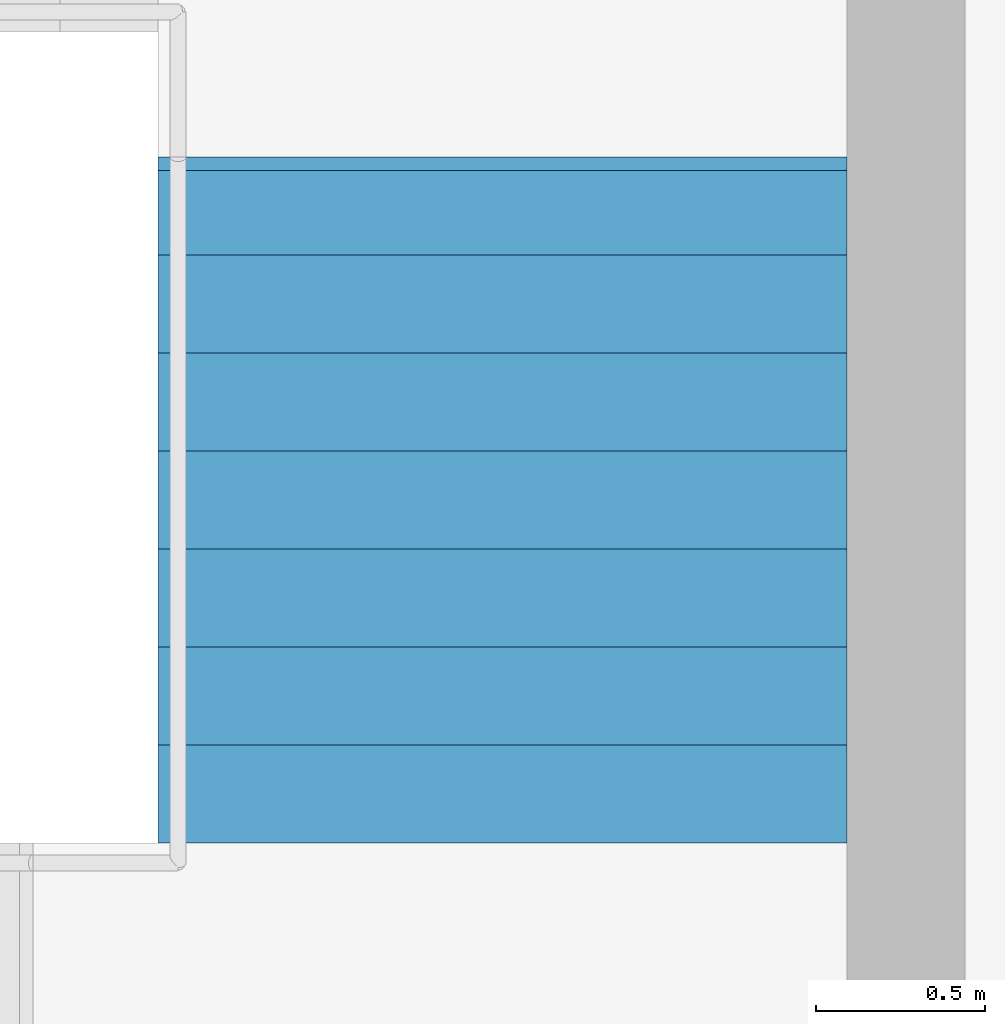
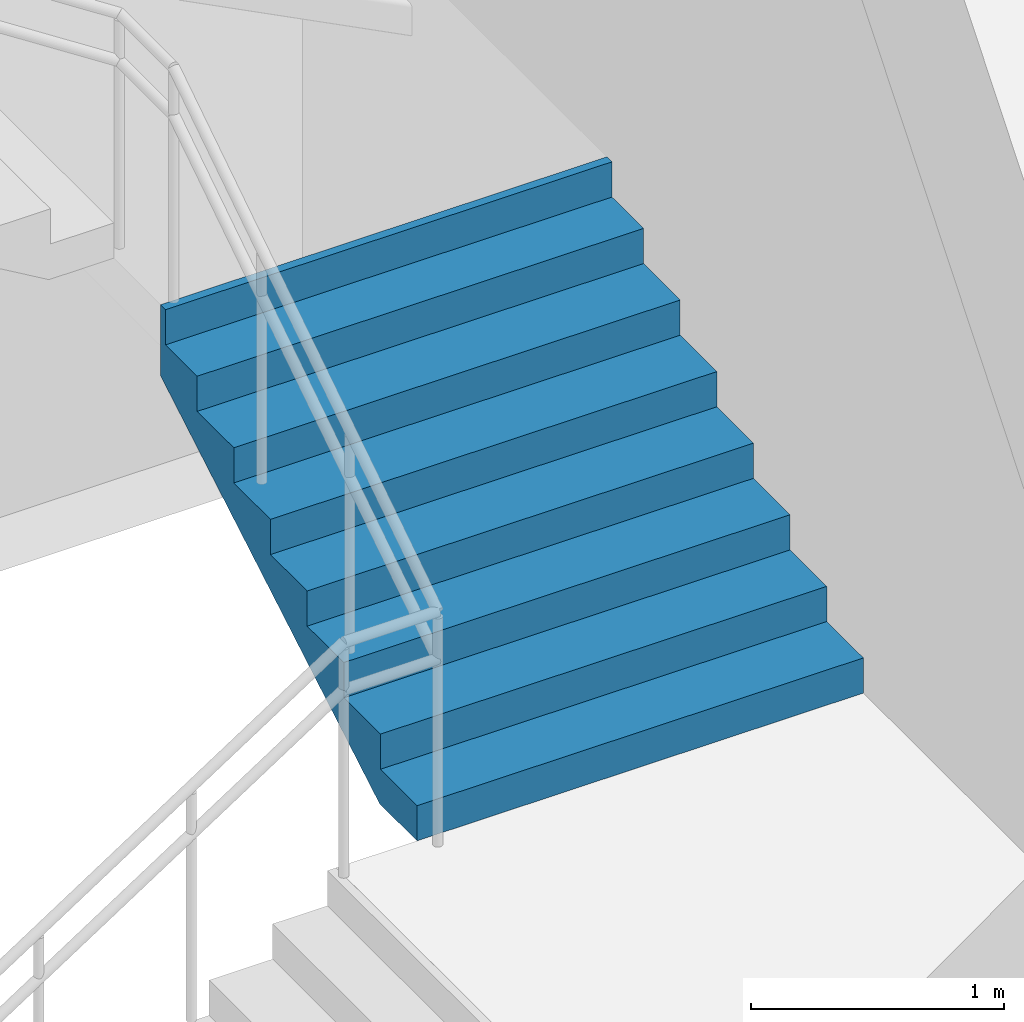
# One storey, part 63 of 72: 1 stair flight, 1 element without a shape of its own.
"""IFC4 building model written with IfcOpenShell, lengths in metres."""

from ifc_helpers import new_model, si_unit, direction, frame, origin, place, context, subcontext, project, spatial, triangles, material, type_object, element, aggregate, save


model = new_model("IFC4")

# Units and contexts
model_context = context("Model", 3, precision=1e-05, world=origin(), true_north=direction((0.0, 1.0)))
body_context = subcontext(model_context, "Body", "Model", "MODEL_VIEW")
ifc_project = project(units=[si_unit("LENGTHUNIT", "METRE"), si_unit("AREAUNIT", "SQUARE_METRE"), si_unit("VOLUMEUNIT", "CUBIC_METRE"), si_unit("PLANEANGLEUNIT", "RADIAN"), si_unit("MASSUNIT", "GRAM", prefix="KILO")], contexts=[model_context])

# Site, building, storey
site_placement = place(None, origin())
site = spatial("IfcSite", under=ifc_project, at=site_placement, CompositionType="ELEMENT")
building_placement = place(site_placement, origin())
building = spatial("IfcBuilding", under=site, at=building_placement, Name="Sillaruma Civic Art Gallery", CompositionType="ELEMENT")
storey_placement = place(building_placement, frame((0.0, 0.0, 10.8798828125)))
storey = spatial("IfcBuildingStorey", under=building, at=storey_placement, Name="L02", CompositionType="ELEMENT", Elevation=10.8798828125)

# Stair, stair flight
ifc_material = material(Name="Concrete H35 (35 MPa)", Category="concrete")
stair_type = type_object("IfcStairType", Name="STR-4F-32", PredefinedType="USERDEFINED", material=ifc_material)
stair_placement = place(storey_placement, origin())
stair = element("IfcStair", 1, at=stair_placement, inside=storey, type_object=stair_type, Name="Protected Exit Stair ST-02 (West Bar North) (L02)", ObjectType="THREE_RETURN_STAIR", PredefinedType="USERDEFINED")
stair_flight_type = type_object("IfcStairFlightType", Name="SFL-STR-8", PredefinedType="STRAIGHT", material=ifc_material)
stair_flight_placement = place(storey_placement, frame((68.219970703125, 82.949951171875, 1.360107421875), z_axis=(0.0, 0.0, 1.0), x_axis=(0.0, 1.0, 0.0)))
stair_flight = element("IfcStairFlight", 2, at=stair_flight_placement, type_object=stair_flight_type, Name="ST-02 flight 2", NumberOfRisers=8, NumberOfTreads=7, PredefinedType="STRAIGHT", RiserHeight=0.17, TreadLength=0.29, context=body_context, shape_type="Tessellation", body=[
    triangles([(0.0, -1.02001953125, 0.0), (0.29, -1.02001953125, 0.0), (0.296443, -1.02001953125, 0.0), (0.58, -1.02001953125, 0.166223), (0.87, -1.02001953125, 0.336223), (1.16, -1.02001953125, 0.506223), (1.45, -1.02001953125, 0.676223), (1.74, -1.02001953125, 0.846223), (1.990029, -1.02001953125, 0.992792), (2.030029, -1.02001953125, 1.01624), (2.030029, -1.02001953125, 1.36), (1.990029, -1.02001953125, 1.36), (1.990029, -1.02001953125, 1.19), (1.74, -1.02001953125, 1.19), (1.74, -1.02001953125, 1.02), (1.45, -1.02001953125, 1.02), (1.45, -1.02001953125, 0.85), (1.16, -1.02001953125, 0.85), (1.16, -1.02001953125, 0.68), (0.87, -1.02001953125, 0.68), (0.87, -1.02001953125, 0.51), (0.58, -1.02001953125, 0.51), (0.58, -1.02001953125, 0.34), (0.296443, -1.02001953125, 0.34), (0.29, -1.02001953125, 0.34), (0.29, -1.02001953125, 0.17), (0.0, -1.02001953125, 0.17), (0.0, -0.05, 0.0), (0.29, -0.05, 0.0), (0.296443, -0.05, 0.0), (0.58, -0.05, 0.166223), (0.87, -0.05, 0.336223), (1.16, -0.05, 0.506223), (1.45, -0.05, 0.676223), (1.74, -0.05, 0.846223), (1.990029, -0.05, 0.992792), (2.030029, -0.05, 1.01624), (2.030029, -0.05, 1.36), (1.990029, -0.05, 1.36), (1.990029, -0.05, 1.19), (1.74, -0.05, 1.19), (1.74, -0.05, 1.02), (1.45, -0.05, 1.02), (1.45, -0.05, 0.85), (1.16, -0.05, 0.85), (1.16, -0.05, 0.68), (0.87, -0.05, 0.68), (0.87, -0.05, 0.51), (0.58, -0.05, 0.51), (0.58, -0.05, 0.34), (0.296443, -0.05, 0.34), (0.29, -0.05, 0.34), (0.29, -0.05, 0.17), (0.0, -0.05, 0.17), (0.0, -0.0375, 0.0), (0.29, -0.0375, 0.0), (0.296443, -0.0375, 0.0), (0.58, -0.0375, 0.166223), (0.87, -0.0375, 0.336223), (1.16, -0.0375, 0.506223), (1.45, -0.0375, 0.676223), (1.74, -0.0375, 0.846223), (1.990029, -0.0375, 0.992792), (2.030029, -0.0375, 1.01624), (2.030029, -0.0375, 1.36), (1.990029, -0.0375, 1.36), (1.990029, -0.0375, 1.19), (1.74, -0.0375, 1.19), (1.74, -0.0375, 1.02), (1.45, -0.0375, 1.02), (1.45, -0.0375, 0.85), (1.16, -0.0375, 0.85), (1.16, -0.0375, 0.68), (0.87, -0.0375, 0.68), (0.87, -0.0375, 0.51), (0.58, -0.0375, 0.51), (0.58, -0.0375, 0.34), (0.296443, -0.0375, 0.34), (0.29, -0.0375, 0.34), (0.29, -0.0375, 0.17), (0.0, -0.0375, 0.17), (0.0, -0.025, 0.0), (0.29, -0.025, 0.0), (0.296443, -0.025, 0.0), (0.58, -0.025, 0.166223), (0.87, -0.025, 0.336223), (1.16, -0.025, 0.506223), (1.45, -0.025, 0.676223), (1.74, -0.025, 0.846223), (1.990029, -0.025, 0.992792), (2.030029, -0.025, 1.01624), (2.030029, -0.025, 1.36), (1.990029, -0.025, 1.36), (1.990029, -0.025, 1.19), (1.74, -0.025, 1.19), (1.74, -0.025, 1.02), (1.45, -0.025, 1.02), (1.45, -0.025, 0.85), (1.16, -0.025, 0.85), (1.16, -0.025, 0.68), (0.87, -0.025, 0.68), (0.87, -0.025, 0.51), (0.58, -0.025, 0.51), (0.58, -0.025, 0.34), (0.296443, -0.025, 0.34), (0.29, -0.025, 0.34), (0.29, -0.025, 0.17), (0.0, -0.025, 0.17), (0.0, -0.0125, 0.0), (0.29, -0.0125, 0.0), (0.296443, -0.0125, 0.0), (0.58, -0.0125, 0.166223), (0.87, -0.0125, 0.336223), (1.16, -0.0125, 0.506223), (1.45, -0.0125, 0.676223), (1.74, -0.0125, 0.846223), (1.990029, -0.0125, 0.992792), (2.030029, -0.0125, 1.01624), (2.030029, -0.0125, 1.36), (1.990029, -0.0125, 1.36), (1.990029, -0.0125, 1.19), (1.74, -0.0125, 1.19), (1.74, -0.0125, 1.02), (1.45, -0.0125, 1.02), (1.45, -0.0125, 0.85), (1.16, -0.0125, 0.85), (1.16, -0.0125, 0.68), (0.87, -0.0125, 0.68), (0.87, -0.0125, 0.51), (0.58, -0.0125, 0.51), (0.58, -0.0125, 0.34), (0.296443, -0.0125, 0.34), (0.29, -0.0125, 0.34), (0.29, -0.0125, 0.17), (0.0, -0.0125, 0.17), (0.0, 0.0, 0.0), (0.29, 0.0, 0.0), (0.296443, 0.0, 0.0), (0.58, 0.0, 0.166223), (0.87, 0.0, 0.336223), (1.16, 0.0, 0.506223), (1.45, 0.0, 0.676223), (1.74, 0.0, 0.846223), (1.990029, 0.0, 0.992792), (2.030029, 0.0, 1.01624), (2.030029, 0.0, 1.36), (1.990029, 0.0, 1.36), (1.990029, 0.0, 1.19), (1.74, 0.0, 1.19), (1.74, 0.0, 1.02), (1.45, 0.0, 1.02), (1.45, 0.0, 0.85), (1.16, 0.0, 0.85), (1.16, 0.0, 0.68), (0.87, 0.0, 0.68), (0.87, 0.0, 0.51), (0.58, 0.0, 0.51), (0.58, 0.0, 0.34), (0.296443, 0.0, 0.34), (0.29, 0.0, 0.34), (0.29, 0.0, 0.17), (0.0, 0.0, 0.17), (0.0, 0.0125, 0.0), (0.29, 0.0125, 0.0), (0.296443, 0.0125, 0.0), (0.58, 0.0125, 0.166223), (0.87, 0.0125, 0.336223), (1.16, 0.0125, 0.506223), (1.45, 0.0125, 0.676223), (1.74, 0.0125, 0.846223), (1.990029, 0.0125, 0.992792), (2.030029, 0.0125, 1.01624), (2.030029, 0.0125, 1.36), (1.990029, 0.0125, 1.36), (1.990029, 0.0125, 1.19), (1.74, 0.0125, 1.19), (1.74, 0.0125, 1.02), (1.45, 0.0125, 1.02), (1.45, 0.0125, 0.85), (1.16, 0.0125, 0.85), (1.16, 0.0125, 0.68), (0.87, 0.0125, 0.68), (0.87, 0.0125, 0.51), (0.58, 0.0125, 0.51), (0.58, 0.0125, 0.34), (0.296443, 0.0125, 0.34), (0.29, 0.0125, 0.34), (0.29, 0.0125, 0.17), (0.0, 0.0125, 0.17), (0.0, 0.025, 0.0), (0.29, 0.025, 0.0), (0.296443, 0.025, 0.0), (0.58, 0.025, 0.166223), (0.87, 0.025, 0.336223), (1.16, 0.025, 0.506223), (1.45, 0.025, 0.676223), (1.74, 0.025, 0.846223), (1.990029, 0.025, 0.992792), (2.030029, 0.025, 1.01624), (2.030029, 0.025, 1.36), (1.990029, 0.025, 1.36), (1.990029, 0.025, 1.19), (1.74, 0.025, 1.19), (1.74, 0.025, 1.02), (1.45, 0.025, 1.02), (1.45, 0.025, 0.85), (1.16, 0.025, 0.85), (1.16, 0.025, 0.68), (0.87, 0.025, 0.68), (0.87, 0.025, 0.51), (0.58, 0.025, 0.51), (0.58, 0.025, 0.34), (0.296443, 0.025, 0.34), (0.29, 0.025, 0.34), (0.29, 0.025, 0.17), (0.0, 0.025, 0.17), (0.0, 0.0375, 0.0), (0.29, 0.0375, 0.0), (0.296443, 0.0375, 0.0), (0.58, 0.0375, 0.166223), (0.87, 0.0375, 0.336223), (1.16, 0.0375, 0.506223), (1.45, 0.0375, 0.676223), (1.74, 0.0375, 0.846223), (1.990029, 0.0375, 0.992792), (2.030029, 0.0375, 1.01624), (2.030029, 0.0375, 1.36), (1.990029, 0.0375, 1.36), (1.990029, 0.0375, 1.19), (1.74, 0.0375, 1.19), (1.74, 0.0375, 1.02), (1.45, 0.0375, 1.02), (1.45, 0.0375, 0.85), (1.16, 0.0375, 0.85), (1.16, 0.0375, 0.68), (0.87, 0.0375, 0.68), (0.87, 0.0375, 0.51), (0.58, 0.0375, 0.51), (0.58, 0.0375, 0.34), (0.296443, 0.0375, 0.34), (0.29, 0.0375, 0.34), (0.29, 0.0375, 0.17), (0.0, 0.0375, 0.17), (0.0, 0.05, 0.0), (0.29, 0.05, 0.0), (0.296443, 0.05, 0.0), (0.58, 0.05, 0.166223), (0.87, 0.05, 0.336223), (1.16, 0.05, 0.506223), (1.45, 0.05, 0.676223), (1.74, 0.05, 0.846223), (1.990029, 0.05, 0.992792), (2.030029, 0.05, 1.01624), (2.030029, 0.05, 1.36), (1.990029, 0.05, 1.36), (1.990029, 0.05, 1.19), (1.74, 0.05, 1.19), (1.74, 0.05, 1.02), (1.45, 0.05, 1.02), (1.45, 0.05, 0.85), (1.16, 0.05, 0.85), (1.16, 0.05, 0.68), (0.87, 0.05, 0.68), (0.87, 0.05, 0.51), (0.58, 0.05, 0.51), (0.58, 0.05, 0.34), (0.296443, 0.05, 0.34), (0.29, 0.05, 0.34), (0.29, 0.05, 0.17), (0.0, 0.05, 0.17), (0.0, 1.02001953125, 0.0), (0.29, 1.02001953125, 0.0), (0.296443, 1.02001953125, 0.0), (0.58, 1.02001953125, 0.166223), (0.87, 1.02001953125, 0.336223), (1.16, 1.02001953125, 0.506223), (1.45, 1.02001953125, 0.676223), (1.74, 1.02001953125, 0.846223), (1.990029, 1.02001953125, 0.992792), (2.030029, 1.02001953125, 1.01624), (2.030029, 1.02001953125, 1.36), (1.990029, 1.02001953125, 1.36), (1.990029, 1.02001953125, 1.19), (1.74, 1.02001953125, 1.19), (1.74, 1.02001953125, 1.02), (1.45, 1.02001953125, 1.02), (1.45, 1.02001953125, 0.85), (1.16, 1.02001953125, 0.85), (1.16, 1.02001953125, 0.68), (0.87, 1.02001953125, 0.68), (0.87, 1.02001953125, 0.51), (0.58, 1.02001953125, 0.51), (0.58, 1.02001953125, 0.34), (0.296443, 1.02001953125, 0.34), (0.29, 1.02001953125, 0.34), (0.29, 1.02001953125, 0.17), (0.0, 1.02001953125, 0.17)], [[1, 2, 26], [1, 26, 27], [2, 3, 24], [2, 24, 26], [26, 24, 25], [3, 4, 23], [3, 23, 24], [4, 5, 21], [4, 21, 23], [23, 21, 22], [5, 6, 19], [5, 19, 21], [21, 19, 20], [6, 7, 17], [6, 17, 19], [19, 17, 18], [7, 8, 15], [7, 15, 17], [17, 15, 16], [8, 9, 13], [8, 13, 15], [15, 13, 14], [9, 10, 11], [9, 11, 13], [13, 11, 12], [296, 272, 271], [297, 296, 271], [294, 273, 272], [296, 294, 272], [295, 294, 296], [293, 274, 273], [294, 293, 273], [291, 275, 274], [293, 291, 274], [292, 291, 293], [289, 276, 275], [291, 289, 275], [290, 289, 291], [287, 277, 276], [289, 287, 276], [288, 287, 289], [285, 278, 277], [287, 285, 277], [286, 285, 287], [283, 279, 278], [285, 283, 278], [284, 283, 285], [281, 280, 279], [283, 281, 279], [282, 281, 283], [2, 1, 28], [2, 28, 29], [3, 2, 29], [3, 29, 30], [4, 3, 30], [4, 30, 31], [5, 4, 31], [5, 31, 32], [6, 5, 32], [6, 32, 33], [7, 6, 33], [7, 33, 34], [8, 7, 34], [8, 34, 35], [9, 8, 35], [9, 35, 36], [10, 9, 36], [10, 36, 37], [11, 10, 37], [11, 37, 38], [12, 11, 38], [12, 38, 39], [13, 12, 39], [13, 39, 40], [14, 13, 40], [14, 40, 41], [15, 14, 41], [15, 41, 42], [16, 15, 42], [16, 42, 43], [17, 16, 43], [17, 43, 44], [18, 17, 44], [18, 44, 45], [19, 18, 45], [19, 45, 46], [20, 19, 46], [20, 46, 47], [21, 20, 47], [21, 47, 48], [22, 21, 48], [22, 48, 49], [23, 22, 49], [23, 49, 50], [24, 23, 50], [24, 50, 51], [25, 24, 51], [25, 51, 52], [26, 25, 52], [26, 52, 53], [27, 26, 53], [27, 53, 54], [1, 27, 54], [1, 54, 28], [29, 28, 55], [29, 55, 56], [30, 29, 56], [30, 56, 57], [31, 30, 57], [31, 57, 58], [32, 31, 58], [32, 58, 59], [33, 32, 59], [33, 59, 60], [34, 33, 60], [34, 60, 61], [35, 34, 61], [35, 61, 62], [36, 35, 62], [36, 62, 63], [37, 36, 63], [37, 63, 64], [38, 37, 64], [38, 64, 65], [39, 38, 65], [39, 65, 66], [40, 39, 66], [40, 66, 67], [41, 40, 67], [41, 67, 68], [42, 41, 68], [42, 68, 69], [43, 42, 69], [43, 69, 70], [44, 43, 70], [44, 70, 71], [45, 44, 71], [45, 71, 72], [46, 45, 72], [46, 72, 73], [47, 46, 73], [47, 73, 74], [48, 47, 74], [48, 74, 75], [49, 48, 75], [49, 75, 76], [50, 49, 76], [50, 76, 77], [51, 50, 77], [51, 77, 78], [52, 51, 78], [52, 78, 79], [53, 52, 79], [53, 79, 80], [54, 53, 80], [54, 80, 81], [28, 54, 81], [28, 81, 55], [56, 55, 82], [56, 82, 83], [57, 56, 83], [57, 83, 84], [58, 57, 84], [58, 84, 85], [59, 58, 85], [59, 85, 86], [60, 59, 86], [60, 86, 87], [61, 60, 87], [61, 87, 88], [62, 61, 88], [62, 88, 89], [63, 62, 89], [63, 89, 90], [64, 63, 90], [64, 90, 91], [65, 64, 91], [65, 91, 92], [66, 65, 92], [66, 92, 93], [67, 66, 93], [67, 93, 94], [68, 67, 94], [68, 94, 95], [69, 68, 95], [69, 95, 96], [70, 69, 96], [70, 96, 97], [71, 70, 97], [71, 97, 98], [72, 71, 98], [72, 98, 99], [73, 72, 99], [73, 99, 100], [74, 73, 100], [74, 100, 101], [75, 74, 101], [75, 101, 102], [76, 75, 102], [76, 102, 103], [77, 76, 103], [77, 103, 104], [78, 77, 104], [78, 104, 105], [79, 78, 105], [79, 105, 106], [80, 79, 106], [80, 106, 107], [81, 80, 107], [81, 107, 108], [55, 81, 108], [55, 108, 82], [83, 82, 109], [83, 109, 110], [84, 83, 110], [84, 110, 111], [85, 84, 111], [85, 111, 112], [86, 85, 112], [86, 112, 113], [87, 86, 113], [87, 113, 114], [88, 87, 114], [88, 114, 115], [89, 88, 115], [89, 115, 116], [90, 89, 116], [90, 116, 117], [91, 90, 117], [91, 117, 118], [92, 91, 118], [92, 118, 119], [93, 92, 119], [93, 119, 120], [94, 93, 120], [94, 120, 121], [95, 94, 121], [95, 121, 122], [96, 95, 122], [96, 122, 123], [97, 96, 123], [97, 123, 124], [98, 97, 124], [98, 124, 125], [99, 98, 125], [99, 125, 126], [100, 99, 126], [100, 126, 127], [101, 100, 127], [101, 127, 128], [102, 101, 128], [102, 128, 129], [103, 102, 129], [103, 129, 130], [104, 103, 130], [104, 130, 131], [105, 104, 131], [105, 131, 132], [106, 105, 132], [106, 132, 133], [107, 106, 133], [107, 133, 134], [108, 107, 134], [108, 134, 135], [82, 108, 135], [82, 135, 109], [110, 109, 136], [110, 136, 137], [111, 110, 137], [111, 137, 138], [112, 111, 138], [112, 138, 139], [113, 112, 139], [113, 139, 140], [114, 113, 140], [114, 140, 141], [115, 114, 141], [115, 141, 142], [116, 115, 142], [116, 142, 143], [117, 116, 143], [117, 143, 144], [118, 117, 144], [118, 144, 145], [119, 118, 145], [119, 145, 146], [120, 119, 146], [120, 146, 147], [121, 120, 147], [121, 147, 148], [122, 121, 148], [122, 148, 149], [123, 122, 149], [123, 149, 150], [124, 123, 150], [124, 150, 151], [125, 124, 151], [125, 151, 152], [126, 125, 152], [126, 152, 153], [127, 126, 153], [127, 153, 154], [128, 127, 154], [128, 154, 155], [129, 128, 155], [129, 155, 156], [130, 129, 156], [130, 156, 157], [131, 130, 157], [131, 157, 158], [132, 131, 158], [132, 158, 159], [133, 132, 159], [133, 159, 160], [134, 133, 160], [134, 160, 161], [135, 134, 161], [135, 161, 162], [109, 135, 162], [109, 162, 136], [137, 136, 163], [137, 163, 164], [138, 137, 164], [138, 164, 165], [139, 138, 165], [139, 165, 166], [140, 139, 166], [140, 166, 167], [141, 140, 167], [141, 167, 168], [142, 141, 168], [142, 168, 169], [143, 142, 169], [143, 169, 170], [144, 143, 170], [144, 170, 171], [145, 144, 171], [145, 171, 172], [146, 145, 172], [146, 172, 173], [147, 146, 173], [147, 173, 174], [148, 147, 174], [148, 174, 175], [149, 148, 175], [149, 175, 176], [150, 149, 176], [150, 176, 177], [151, 150, 177], [151, 177, 178], [152, 151, 178], [152, 178, 179], [153, 152, 179], [153, 179, 180], [154, 153, 180], [154, 180, 181], [155, 154, 181], [155, 181, 182], [156, 155, 182], [156, 182, 183], [157, 156, 183], [157, 183, 184], [158, 157, 184], [158, 184, 185], [159, 158, 185], [159, 185, 186], [160, 159, 186], [160, 186, 187], [161, 160, 187], [161, 187, 188], [162, 161, 188], [162, 188, 189], [136, 162, 189], [136, 189, 163], [164, 163, 190], [164, 190, 191], [165, 164, 191], [165, 191, 192], [166, 165, 192], [166, 192, 193], [167, 166, 193], [167, 193, 194], [168, 167, 194], [168, 194, 195], [169, 168, 195], [169, 195, 196], [170, 169, 196], [170, 196, 197], [171, 170, 197], [171, 197, 198], [172, 171, 198], [172, 198, 199], [173, 172, 199], [173, 199, 200], [174, 173, 200], [174, 200, 201], [175, 174, 201], [175, 201, 202], [176, 175, 202], [176, 202, 203], [177, 176, 203], [177, 203, 204], [178, 177, 204], [178, 204, 205], [179, 178, 205], [179, 205, 206], [180, 179, 206], [180, 206, 207], [181, 180, 207], [181, 207, 208], [182, 181, 208], [182, 208, 209], [183, 182, 209], [183, 209, 210], [184, 183, 210], [184, 210, 211], [185, 184, 211], [185, 211, 212], [186, 185, 212], [186, 212, 213], [187, 186, 213], [187, 213, 214], [188, 187, 214], [188, 214, 215], [189, 188, 215], [189, 215, 216], [163, 189, 216], [163, 216, 190], [191, 190, 217], [191, 217, 218], [192, 191, 218], [192, 218, 219], [193, 192, 219], [193, 219, 220], [194, 193, 220], [194, 220, 221], [195, 194, 221], [195, 221, 222], [196, 195, 222], [196, 222, 223], [197, 196, 223], [197, 223, 224], [198, 197, 224], [198, 224, 225], [199, 198, 225], [199, 225, 226], [200, 199, 226], [200, 226, 227], [201, 200, 227], [201, 227, 228], [202, 201, 228], [202, 228, 229], [203, 202, 229], [203, 229, 230], [204, 203, 230], [204, 230, 231], [205, 204, 231], [205, 231, 232], [206, 205, 232], [206, 232, 233], [207, 206, 233], [207, 233, 234], [208, 207, 234], [208, 234, 235], [209, 208, 235], [209, 235, 236], [210, 209, 236], [210, 236, 237], [211, 210, 237], [211, 237, 238], [212, 211, 238], [212, 238, 239], [213, 212, 239], [213, 239, 240], [214, 213, 240], [214, 240, 241], [215, 214, 241], [215, 241, 242], [216, 215, 242], [216, 242, 243], [190, 216, 243], [190, 243, 217], [218, 217, 244], [218, 244, 245], [219, 218, 245], [219, 245, 246], [220, 219, 246], [220, 246, 247], [221, 220, 247], [221, 247, 248], [222, 221, 248], [222, 248, 249], [223, 222, 249], [223, 249, 250], [224, 223, 250], [224, 250, 251], [225, 224, 251], [225, 251, 252], [226, 225, 252], [226, 252, 253], [227, 226, 253], [227, 253, 254], [228, 227, 254], [228, 254, 255], [229, 228, 255], [229, 255, 256], [230, 229, 256], [230, 256, 257], [231, 230, 257], [231, 257, 258], [232, 231, 258], [232, 258, 259], [233, 232, 259], [233, 259, 260], [234, 233, 260], [234, 260, 261], [235, 234, 261], [235, 261, 262], [236, 235, 262], [236, 262, 263], [237, 236, 263], [237, 263, 264], [238, 237, 264], [238, 264, 265], [239, 238, 265], [239, 265, 266], [240, 239, 266], [240, 266, 267], [241, 240, 267], [241, 267, 268], [242, 241, 268], [242, 268, 269], [243, 242, 269], [243, 269, 270], [217, 243, 270], [217, 270, 244], [245, 244, 271], [245, 271, 272], [246, 245, 272], [246, 272, 273], [247, 246, 273], [247, 273, 274], [248, 247, 274], [248, 274, 275], [249, 248, 275], [249, 275, 276], [250, 249, 276], [250, 276, 277], [251, 250, 277], [251, 277, 278], [252, 251, 278], [252, 278, 279], [253, 252, 279], [253, 279, 280], [254, 253, 280], [254, 280, 281], [255, 254, 281], [255, 281, 282], [256, 255, 282], [256, 282, 283], [257, 256, 283], [257, 283, 284], [258, 257, 284], [258, 284, 285], [259, 258, 285], [259, 285, 286], [260, 259, 286], [260, 286, 287], [261, 260, 287], [261, 287, 288], [262, 261, 288], [262, 288, 289], [263, 262, 289], [263, 289, 290], [264, 263, 290], [264, 290, 291], [265, 264, 291], [265, 291, 292], [266, 265, 292], [266, 292, 293], [267, 266, 293], [267, 293, 294], [268, 267, 294], [268, 294, 295], [269, 268, 295], [269, 295, 296], [270, 269, 296], [270, 296, 297], [244, 270, 297], [244, 297, 271]], closed=True),
])
aggregate(stair, [stair_flight])

save(model, "model.ifc")
